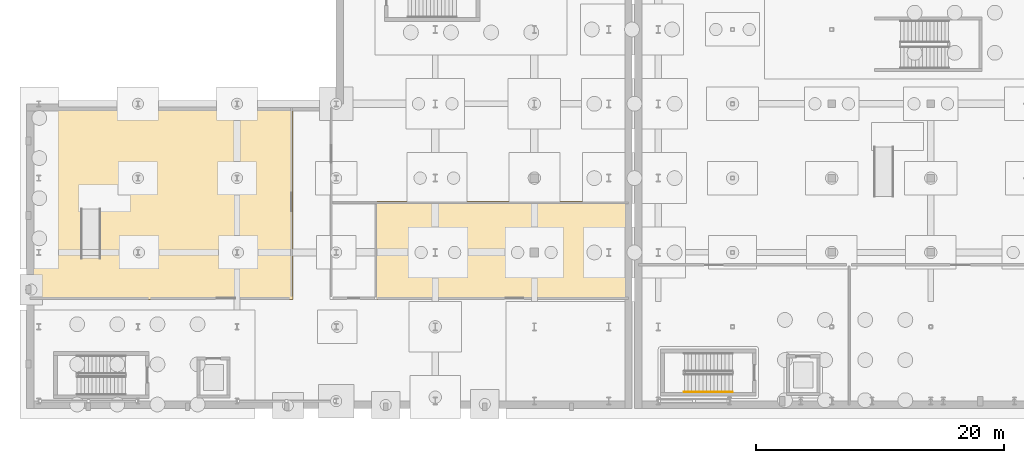
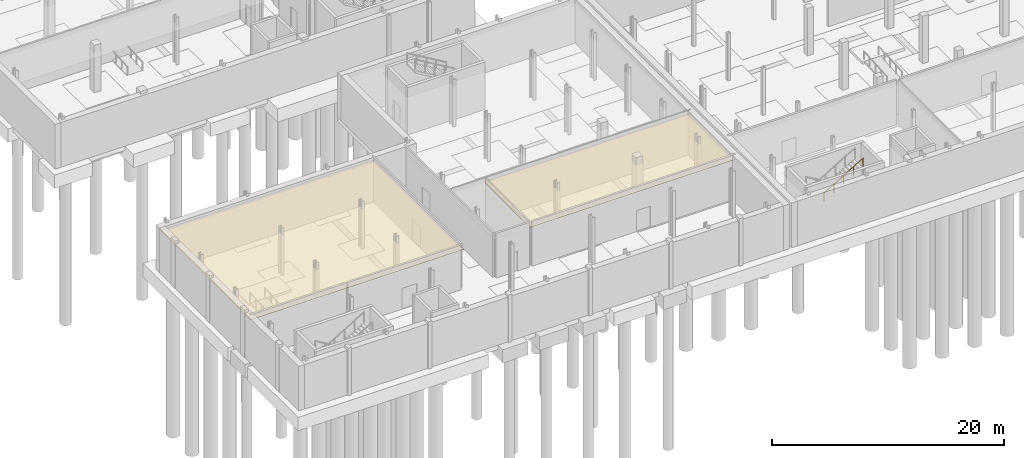
# One storey, part 33 of 47: 2 coverings, 1 railing.
"""IFC4 building model written with IfcOpenShell, lengths in metres."""

from ifc_helpers import new_model, si_unit, direction, frame, origin, origin_2d, place, context, subcontext, project, spatial, polyline, circle, outline, extrude, material, layer, layer_set, type_object, element, save


model = new_model("IFC4")

# Units and contexts
model_context = context("Model", 3, precision=1e-05, world=origin(), true_north=direction((0.0, 1.0)))
body_context = subcontext(model_context, "Body", "Model", "MODEL_VIEW")
ifc_project = project(units=[si_unit("LENGTHUNIT", "METRE"), si_unit("AREAUNIT", "SQUARE_METRE"), si_unit("VOLUMEUNIT", "CUBIC_METRE"), si_unit("PLANEANGLEUNIT", "RADIAN"), si_unit("MASSUNIT", "GRAM", prefix="KILO")], contexts=[model_context])

# Site, building, storey
site_placement = place(None, origin())
site = spatial("IfcSite", under=ifc_project, at=site_placement, CompositionType="ELEMENT")
building_placement = place(site_placement, origin())
building = spatial("IfcBuilding", under=site, at=building_placement, Name="Cymarion Research Institute", CompositionType="ELEMENT")
storey_placement = place(building_placement, frame((0.0, 0.0, -5.0)))
storey = spatial("IfcBuildingStorey", under=building, at=storey_placement, Name="B1", CompositionType="ELEMENT", Elevation=-5.0)

# Coverings
ifc_material_1 = material(Name="Micro-perforated mineral acoustic ceiling tile", Category="gypsum")
ifc_layer = layer(ifc_material_1, 0.030029296875)
ifc_layer_set = layer_set([ifc_layer], Name="Micro-perforated mineral acoustic ceiling tile")
covering_type = type_object("IfcCoveringType", Name="ACOUSTIC MICRO-PERFORATED SUSPENDED CEILING CLG-01", PredefinedType="CEILING", material=ifc_layer_set)
covering_1_placement = place(storey_placement, frame((0.0, 0.0, 4.14990234375)))
element("IfcCovering", 1, at=covering_1_placement, inside=storey, type_object=covering_type, Name="B1 B1 Precision Scientific Instrument & Glassblowing Lab acoustic ceiling", PredefinedType="CEILING", context=body_context, shape_type="SweptSolid", body=[
    extrude(outline(polyline([(27.114990234375, 29.215087890625), (27.114990234375, 13.68505859375), (5.885009765625, 13.68505859375), (5.885009765625, 29.215087890625), (27.114990234375, 29.215087890625)])), origin(), (0.0, 0.0, 1.0), 0.030029296875),
])
covering_2_placement = place(storey_placement, frame((0.0, 0.0, 4.14990234375)))
element("IfcCovering", 2, at=covering_2_placement, inside=storey, type_object=covering_type, Name="B1 B1 Auditorium Understage & AV Technical Store acoustic ceiling", PredefinedType="CEILING", context=body_context, shape_type="SweptSolid", body=[
    extrude(outline(polyline([(54.215087890625, 21.614990234375), (54.215087890625, 13.68505859375), (33.68505859375, 13.68505859375), (33.68505859375, 21.614990234375), (54.215087890625, 21.614990234375)])), origin(), (0.0, 0.0, 1.0), 0.030029296875),
])

# Railing
ifc_material_2 = material(Name="Steel S355", Category="steel")
railing_type = type_object("IfcRailingType", Name="STAINLESS STEEL STAIR HANDRAIL HR1 900MM", PredefinedType="HANDRAIL", material=ifc_material_2)
railing_placement = place(storey_placement, frame((58.699951171875, 6.25, 2.678466796875)))
element("IfcRailing", 3, at=railing_placement, inside=storey, type_object=railing_type, Name="B1 ST3 stair handrail 2", PredefinedType="HANDRAIL", context=body_context, shape_type="SweptSolid", body=[
    extrude(circle(Radius=0.02392578125, at=origin_2d()), frame((0.0, 0.0, 0.8759765625), z_axis=(0.859291195736, 0.0, 0.511486696729), x_axis=(0.0, 1.0, 0.0)), (0.0, 0.0, 1.0), 4.538818359375),
    extrude(circle(Radius=0.02099609375, at=origin_2d()), origin(), (0.0, 0.0, 1.0), 0.851806640625),
    extrude(circle(Radius=0.02099609375, at=origin_2d()), frame((0.97509765625, 0.0, 0.580322265625)), (0.0, 0.0, 1.0), 0.851806640625),
    extrude(circle(Radius=0.02099609375, at=origin_2d()), frame((1.9501953125, 0.0, 1.16064453125)), (0.0, 0.0, 1.0), 0.851806640625),
    extrude(circle(Radius=0.02099609375, at=origin_2d()), frame((2.925048828125, 0.0, 1.7412109375)), (0.0, 0.0, 1.0), 0.851806640625),
    extrude(circle(Radius=0.02099609375, at=origin_2d()), frame((3.900146484375, 0.0, 2.321533203125)), (0.0, 0.0, 1.0), 0.851806640625),
])

save(model, "model.ifc")
